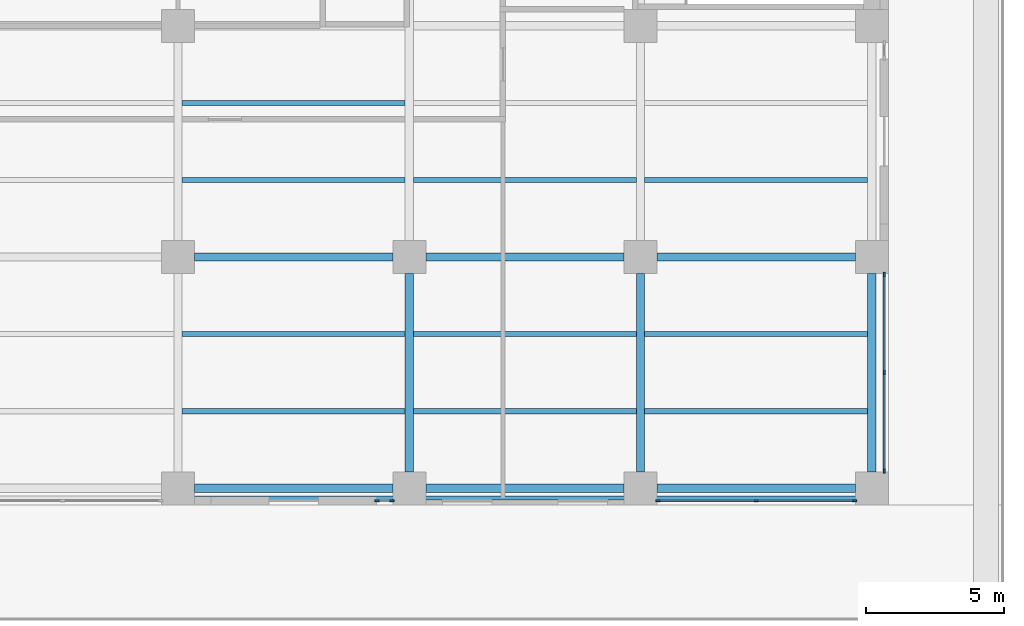
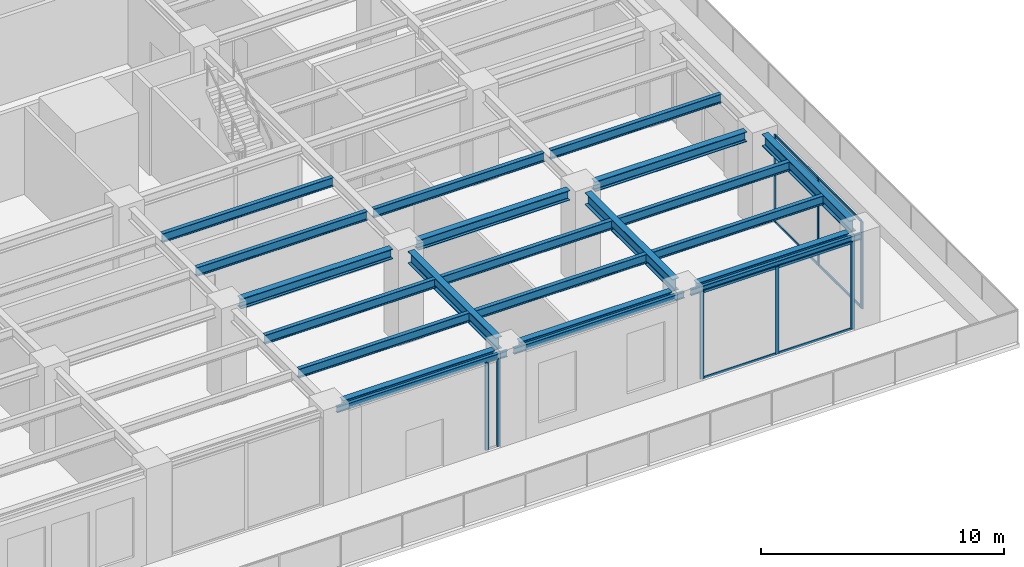
# One storey, part 8 of 53: 22 beams, 16 members, 3 elements without a shape of their own.
"""IFC4 building model written with IfcOpenShell, lengths in metres."""

from ifc_helpers import new_model, si_unit, direction, frame, origin, origin_2d, place, context, subcontext, project, spatial, rectangle, i_section, extrude, material, material_profile, profile_set, type_object, element, aggregate, save


model = new_model("IFC4")

# Units and contexts
model_context = context("Model", 3, precision=1e-05, world=origin(), true_north=direction((0.0, 1.0)))
body_context = subcontext(model_context, "Body", "Model", "MODEL_VIEW")
ifc_project = project(units=[si_unit("LENGTHUNIT", "METRE"), si_unit("AREAUNIT", "SQUARE_METRE"), si_unit("VOLUMEUNIT", "CUBIC_METRE"), si_unit("PLANEANGLEUNIT", "RADIAN"), si_unit("MASSUNIT", "GRAM", prefix="KILO")], contexts=[model_context])

# Site, building, storey
site_placement = place(None, origin())
site = spatial("IfcSite", under=ifc_project, at=site_placement, CompositionType="ELEMENT")
building_placement = place(site_placement, origin())
building = spatial("IfcBuilding", under=site, at=building_placement, Name="Khepri Terraces", CompositionType="ELEMENT")
storey_placement = place(building_placement, frame((0.0, 0.0, 7.199951171875)))
storey = spatial("IfcBuildingStorey", under=building, at=storey_placement, Name="L01", CompositionType="ELEMENT", Elevation=7.199951171875)

# Curtain wall, members
ifc_material_1 = material(Name="Anodised aluminium bronze curtain wall", Category="aluminium")
curtain_wall_type = type_object("IfcCurtainWallType", Name="CW-SYS2-PODIUM", PredefinedType="NOTDEFINED", material=ifc_material_1)
curtain_wall_1_placement = place(storey_placement, origin())
curtain_wall_1 = element("IfcCurtainWall", 1, at=curtain_wall_1_placement, inside=storey, type_object=curtain_wall_type, Name="Curtain wall CW2 L01 S", PredefinedType="NOTDEFINED")
ifc_material_2 = material(Name="Anodised aluminium bronze", Category="aluminium")
ifc_material_profile_1 = material_profile(ifc_material_2, rectangle(XDim=0.06005859375, YDim=0.159912109375, at=origin_2d()), Name="Anodised aluminium bronze", Category="aluminium")
ifc_profile_set_1 = profile_set([ifc_material_profile_1], Name="Anodised aluminium bronze")
member_type_1 = type_object("IfcMemberType", Name="CW-MULLION-60x160", PredefinedType="MULLION", material=ifc_profile_set_1)
member_1_placement = place(storey_placement, frame((24.030029296875, -42.449951171875, 0.0), z_axis=(0.0, 0.0, 1.0), x_axis=(0.0, 1.0, 0.0)))
member_1 = element("IfcMember", 2, at=member_1_placement, type_object=member_type_1, Name="CW2 mullion 1", PredefinedType="MULLION", context=body_context, shape_type="SweptSolid", body=[
    extrude(rectangle(XDim=0.06005859375, YDim=0.159912109375, at=origin_2d()), origin(), (0.0, 0.0, 1.0), 4.380126953125),
])
member_2_placement = place(storey_placement, frame((24.570068359375, -42.449951171875, 0.0), z_axis=(0.0, 0.0, 1.0), x_axis=(0.0, 1.0, 0.0)))
member_2 = element("IfcMember", 3, at=member_2_placement, type_object=member_type_1, Name="CW2 mullion 2", PredefinedType="MULLION", context=body_context, shape_type="SweptSolid", body=[
    extrude(rectangle(XDim=0.06005859375, YDim=0.159912109375, at=origin_2d()), origin(), (0.0, 0.0, 1.0), 4.380126953125),
])
aggregate(curtain_wall_1, [member_1, member_2])

curtain_wall_2_placement = place(storey_placement, origin())
curtain_wall_2 = element("IfcCurtainWall", 4, at=curtain_wall_2_placement, inside=storey, type_object=curtain_wall_type, Name="Curtain wall CW2 L01 S", PredefinedType="NOTDEFINED")
member_3_placement = place(storey_placement, frame((34.22998046875, -42.449951171875, 0.0), z_axis=(0.0, 0.0, 1.0), x_axis=(0.0, 1.0, 0.0)))
member_3 = element("IfcMember", 5, at=member_3_placement, type_object=member_type_1, Name="CW2 mullion 1", PredefinedType="MULLION", context=body_context, shape_type="SweptSolid", body=[
    extrude(rectangle(XDim=0.06005859375, YDim=0.159912109375, at=origin_2d()), origin(), (0.0, 0.0, 1.0), 4.380126953125),
])
member_4_placement = place(storey_placement, frame((37.800048828125, -42.449951171875, 0.0), z_axis=(0.0, 0.0, 1.0), x_axis=(0.0, 1.0, 0.0)))
member_4 = element("IfcMember", 6, at=member_4_placement, type_object=member_type_1, Name="CW2 mullion 2", PredefinedType="MULLION", context=body_context, shape_type="SweptSolid", body=[
    extrude(rectangle(XDim=0.06005859375, YDim=0.159912109375, at=origin_2d()), origin(), (0.0, 0.0, 1.0), 4.380126953125),
])
member_5_placement = place(storey_placement, frame((41.3701171875, -42.449951171875, 0.0), z_axis=(0.0, 0.0, 1.0), x_axis=(0.0, 1.0, 0.0)))
member_5 = element("IfcMember", 7, at=member_5_placement, type_object=member_type_1, Name="CW2 mullion 3", PredefinedType="MULLION", context=body_context, shape_type="SweptSolid", body=[
    extrude(rectangle(XDim=0.06005859375, YDim=0.159912109375, at=origin_2d()), origin(), (0.0, 0.0, 1.0), 4.380126953125),
])

curtain_wall_3_placement = place(storey_placement, origin())
curtain_wall_3 = element("IfcCurtainWall", 8, at=curtain_wall_3_placement, inside=storey, type_object=curtain_wall_type, Name="Curtain wall CW2 L01 E", PredefinedType="NOTDEFINED")
member_6_placement = place(storey_placement, frame((42.449951171875, -41.3701171875, 0.0), z_axis=(0.0, 0.0, 1.0), x_axis=(-1.0, 0.0, 0.0)))
member_6 = element("IfcMember", 9, at=member_6_placement, type_object=member_type_1, Name="CW2 mullion 1", PredefinedType="MULLION", context=body_context, shape_type="SweptSolid", body=[
    extrude(rectangle(XDim=0.06005859375, YDim=0.159912109375, at=origin_2d()), origin(), (0.0, 0.0, 1.0), 4.380126953125),
])
member_7_placement = place(storey_placement, frame((42.449951171875, -37.800048828125, 0.0), z_axis=(0.0, 0.0, 1.0), x_axis=(-1.0, 0.0, 0.0)))
member_7 = element("IfcMember", 10, at=member_7_placement, type_object=member_type_1, Name="CW2 mullion 2", PredefinedType="MULLION", context=body_context, shape_type="SweptSolid", body=[
    extrude(rectangle(XDim=0.06005859375, YDim=0.159912109375, at=origin_2d()), origin(), (0.0, 0.0, 1.0), 4.380126953125),
])
member_8_placement = place(storey_placement, frame((42.449951171875, -34.22998046875, 0.0), z_axis=(0.0, 0.0, 1.0), x_axis=(-1.0, 0.0, 0.0)))
member_8 = element("IfcMember", 11, at=member_8_placement, type_object=member_type_1, Name="CW2 mullion 3", PredefinedType="MULLION", context=body_context, shape_type="SweptSolid", body=[
    extrude(rectangle(XDim=0.06005859375, YDim=0.159912109375, at=origin_2d()), origin(), (0.0, 0.0, 1.0), 4.380126953125),
])

# Member
ifc_material_profile_2 = material_profile(ifc_material_2, rectangle(XDim=0.06005859375, YDim=0.1201171875, at=origin_2d()), Name="Anodised aluminium bronze", Category="aluminium")
ifc_profile_set_2 = profile_set([ifc_material_profile_2], Name="Anodised aluminium bronze")
member_type_2 = type_object("IfcMemberType", Name="CW-TRANSOM-60x120", PredefinedType="USERDEFINED", material=ifc_profile_set_2)
member_9_placement = place(storey_placement, frame((34.260009765625, -42.449951171875, 0.030029296875), z_axis=(1.0, 0.0, 0.0), x_axis=(0.0, 1.0, 0.0)))
member_9 = element("IfcMember", 12, at=member_9_placement, type_object=member_type_2, Name="CW2 transom 1.1", ObjectType="TRANSOM", PredefinedType="USERDEFINED", context=body_context, shape_type="SweptSolid", body=[
    extrude(rectangle(XDim=0.06005859375, YDim=0.1201171875, at=origin_2d()), origin(), (0.0, 0.0, 1.0), 3.510009765625),
])

member_10_placement = place(storey_placement, frame((34.260009765625, -42.449951171875, 4.35009765625), z_axis=(1.0, 0.0, 0.0), x_axis=(0.0, 1.0, 0.0)))
member_10 = element("IfcMember", 13, at=member_10_placement, type_object=member_type_2, Name="CW2 transom 1.2", ObjectType="TRANSOM", PredefinedType="USERDEFINED", context=body_context, shape_type="SweptSolid", body=[
    extrude(rectangle(XDim=0.06005859375, YDim=0.1201171875, at=origin_2d()), origin(), (0.0, 0.0, 1.0), 3.510009765625),
])

member_11_placement = place(storey_placement, frame((37.830078125, -42.449951171875, 0.030029296875), z_axis=(1.0, 0.0, 0.0), x_axis=(0.0, 1.0, 0.0)))
member_11 = element("IfcMember", 14, at=member_11_placement, type_object=member_type_2, Name="CW2 transom 2.1", ObjectType="TRANSOM", PredefinedType="USERDEFINED", context=body_context, shape_type="SweptSolid", body=[
    extrude(rectangle(XDim=0.06005859375, YDim=0.1201171875, at=origin_2d()), origin(), (0.0, 0.0, 1.0), 3.510009765625),
])

member_12_placement = place(storey_placement, frame((37.830078125, -42.449951171875, 4.35009765625), z_axis=(1.0, 0.0, 0.0), x_axis=(0.0, 1.0, 0.0)))
member_12 = element("IfcMember", 15, at=member_12_placement, type_object=member_type_2, Name="CW2 transom 2.2", ObjectType="TRANSOM", PredefinedType="USERDEFINED", context=body_context, shape_type="SweptSolid", body=[
    extrude(rectangle(XDim=0.06005859375, YDim=0.1201171875, at=origin_2d()), origin(), (0.0, 0.0, 1.0), 3.510009765625),
])

aggregate(curtain_wall_2, [member_3, member_4, member_5, member_9, member_10, member_11, member_12])

member_13_placement = place(storey_placement, frame((42.449951171875, -41.340087890625, 0.030029296875), z_axis=(0.0, 1.0, 0.0), x_axis=(-1.0, 0.0, 0.0)))
member_13 = element("IfcMember", 16, at=member_13_placement, type_object=member_type_2, Name="CW2 transom 1.1", ObjectType="TRANSOM", PredefinedType="USERDEFINED", context=body_context, shape_type="SweptSolid", body=[
    extrude(rectangle(XDim=0.06005859375, YDim=0.1201171875, at=origin_2d()), origin(), (0.0, 0.0, 1.0), 3.510009765625),
])

member_14_placement = place(storey_placement, frame((42.449951171875, -41.340087890625, 4.35009765625), z_axis=(0.0, 1.0, 0.0), x_axis=(-1.0, 0.0, 0.0)))
member_14 = element("IfcMember", 17, at=member_14_placement, type_object=member_type_2, Name="CW2 transom 1.2", ObjectType="TRANSOM", PredefinedType="USERDEFINED", context=body_context, shape_type="SweptSolid", body=[
    extrude(rectangle(XDim=0.06005859375, YDim=0.1201171875, at=origin_2d()), origin(), (0.0, 0.0, 1.0), 3.510009765625),
])

member_15_placement = place(storey_placement, frame((42.449951171875, -37.77001953125, 0.030029296875), z_axis=(0.0, 1.0, 0.0), x_axis=(-1.0, 0.0, 0.0)))
member_15 = element("IfcMember", 18, at=member_15_placement, type_object=member_type_2, Name="CW2 transom 2.1", ObjectType="TRANSOM", PredefinedType="USERDEFINED", context=body_context, shape_type="SweptSolid", body=[
    extrude(rectangle(XDim=0.06005859375, YDim=0.1201171875, at=origin_2d()), origin(), (0.0, 0.0, 1.0), 3.510009765625),
])

member_16_placement = place(storey_placement, frame((42.449951171875, -37.77001953125, 4.35009765625), z_axis=(0.0, 1.0, 0.0), x_axis=(-1.0, 0.0, 0.0)))
member_16 = element("IfcMember", 19, at=member_16_placement, type_object=member_type_2, Name="CW2 transom 2.2", ObjectType="TRANSOM", PredefinedType="USERDEFINED", context=body_context, shape_type="SweptSolid", body=[
    extrude(rectangle(XDim=0.06005859375, YDim=0.1201171875, at=origin_2d()), origin(), (0.0, 0.0, 1.0), 3.510009765625),
])

aggregate(curtain_wall_3, [member_6, member_7, member_8, member_13, member_14, member_15, member_16])

# Beams
ifc_material_3 = material(Name="Steel S355", Category="steel")
ifc_material_profile_3 = material_profile(ifc_material_3, i_section(OverallWidth=0.14990234375, OverallDepth=0.300048828125, WebThickness=0.007080078125, FlangeThickness=0.0107421875, FilletRadius=0.014892578125, at=origin_2d()), Name="Steel S355", Category="steel")
ifc_profile_set_3 = profile_set([ifc_material_profile_3], Name="Steel S355")
beam_type_1 = type_object("IfcBeamType", Name="Podium edge beam L02 IPE 300", PredefinedType="SPANDREL", material=ifc_profile_set_3)
beam_1_placement = place(storey_placement, frame((16.949951171875, -42.35009765625, 4.449951171875), z_axis=(1.0, 0.0, 0.0), x_axis=(0.0, 1.0, 0.0)))
element("IfcBeam", 20, at=beam_1_placement, inside=storey, type_object=beam_type_1, Name="Podium edge beam L02 008", PredefinedType="SPANDREL", context=body_context, shape_type="SweptSolid", body=[
    extrude(i_section(OverallWidth=0.14990234375, OverallDepth=0.300048828125, WebThickness=0.007080078125, FlangeThickness=0.0107421875, FilletRadius=0.014892578125, at=origin_2d()), origin(), (0.0, 0.0, 1.0), 8.10009765625),
])
beam_2_placement = place(storey_placement, frame((25.35009765625, -42.35009765625, 4.449951171875), z_axis=(1.0, 0.0, 0.0), x_axis=(0.0, 1.0, 0.0)))
element("IfcBeam", 21, at=beam_2_placement, inside=storey, type_object=beam_type_1, Name="Podium edge beam L02 009", PredefinedType="SPANDREL", context=body_context, shape_type="SweptSolid", body=[
    extrude(i_section(OverallWidth=0.14990234375, OverallDepth=0.300048828125, WebThickness=0.007080078125, FlangeThickness=0.0107421875, FilletRadius=0.014892578125, at=origin_2d()), origin(), (0.0, 0.0, 1.0), 8.099853515625),
])
beam_3_placement = place(storey_placement, frame((33.75, -42.35009765625, 4.449951171875), z_axis=(1.0, 0.0, 0.0), x_axis=(0.0, 1.0, 0.0)))
element("IfcBeam", 22, at=beam_3_placement, inside=storey, type_object=beam_type_1, Name="Podium edge beam L02 010", PredefinedType="SPANDREL", context=body_context, shape_type="SweptSolid", body=[
    extrude(i_section(OverallWidth=0.14990234375, OverallDepth=0.300048828125, WebThickness=0.007080078125, FlangeThickness=0.0107421875, FilletRadius=0.014892578125, at=origin_2d()), origin(), (0.0, 0.0, 1.0), 8.10009765625),
])
ifc_material_profile_4 = material_profile(ifc_material_3, i_section(OverallWidth=0.300048828125, OverallDepth=0.60009765625, WebThickness=0.015380859375, FlangeThickness=0.030029296875, FilletRadius=0.027099609375, at=origin_2d()), Name="Steel S355", Category="steel")
ifc_profile_set_4 = profile_set([ifc_material_profile_4], Name="Steel S355")
beam_type_2 = type_object("IfcBeamType", Name="Podium girder L02 HEB 600", PredefinedType="BEAM", material=ifc_profile_set_4)
for number, where, z_axis, x_axis, name in (
    (23, (25.199951171875, -41.39990234375, 4.300048828125), (0.0, 1.0, 0.0), (-1.0, 0.0, 0.0), "Podium girder L02 049"),
    (24, (33.60009765625, -41.39990234375, 4.300048828125), (0.0, 1.0, 0.0), (-1.0, 0.0, 0.0), "Podium girder L02 057"),
    (25, (42.0, -41.39990234375, 4.300048828125), (0.0, 1.0, 0.0), (-1.0, 0.0, 0.0), "Podium girder L02 067"),
):
    element("IfcBeam", number, at=place(storey_placement, frame(where, z_axis=z_axis, x_axis=x_axis)), inside=storey, type_object=beam_type_2, Name=name, PredefinedType="BEAM", context=body_context, shape_type="SweptSolid", body=[
        extrude(i_section(OverallWidth=0.300048828125, OverallDepth=0.60009765625, WebThickness=0.015380859375, FlangeThickness=0.030029296875, FilletRadius=0.027099609375, at=origin_2d()), origin(), (0.0, 0.0, 1.0), 7.199951171875),
    ])
ifc_material_profile_5 = material_profile(ifc_material_3, i_section(OverallWidth=0.300048828125, OverallDepth=0.5, WebThickness=0.014404296875, FlangeThickness=0.028076171875, FilletRadius=0.027099609375, at=origin_2d()), Name="Steel S355", Category="steel")
ifc_profile_set_5 = profile_set([ifc_material_profile_5], Name="Steel S355")
beam_type_3 = type_object("IfcBeamType", Name="Podium girder L02 grid line HEB 500", PredefinedType="BEAM", material=ifc_profile_set_5)
beam_4_placement = place(storey_placement, frame((17.39990234375, -42.0, 4.35009765625), z_axis=(1.0, 0.0, 0.0), x_axis=(0.0, 1.0, 0.0)))
element("IfcBeam", 26, at=beam_4_placement, inside=storey, type_object=beam_type_3, Name="Podium grid-line girder L02 008", PredefinedType="BEAM", context=body_context, shape_type="SweptSolid", body=[
    extrude(i_section(OverallWidth=0.300048828125, OverallDepth=0.5, WebThickness=0.014404296875, FlangeThickness=0.028076171875, FilletRadius=0.027099609375, at=origin_2d()), origin(), (0.0, 0.0, 1.0), 7.2001953125),
])
for number, where, z_axis, x_axis, name in (
    (27, (25.800048828125, -42.0, 4.35009765625), (1.0, 0.0, 0.0), (0.0, 1.0, 0.0), "Podium grid-line girder L02 009"),
    (28, (34.199951171875, -42.0, 4.35009765625), (1.0, 0.0, 0.0), (0.0, 1.0, 0.0), "Podium grid-line girder L02 010"),
):
    element("IfcBeam", number, at=place(storey_placement, frame(where, z_axis=z_axis, x_axis=x_axis)), inside=storey, type_object=beam_type_3, Name=name, PredefinedType="BEAM", context=body_context, shape_type="SweptSolid", body=[
        extrude(i_section(OverallWidth=0.300048828125, OverallDepth=0.5, WebThickness=0.014404296875, FlangeThickness=0.028076171875, FilletRadius=0.027099609375, at=origin_2d()), origin(), (0.0, 0.0, 1.0), 7.199951171875),
    ])
beam_5_placement = place(storey_placement, frame((17.39990234375, -33.60009765625, 4.35009765625), z_axis=(1.0, 0.0, 0.0), x_axis=(0.0, 1.0, 0.0)))
element("IfcBeam", 29, at=beam_5_placement, inside=storey, type_object=beam_type_3, Name="Podium grid-line girder L02 038", PredefinedType="BEAM", context=body_context, shape_type="SweptSolid", body=[
    extrude(i_section(OverallWidth=0.300048828125, OverallDepth=0.5, WebThickness=0.014404296875, FlangeThickness=0.028076171875, FilletRadius=0.027099609375, at=origin_2d()), origin(), (0.0, 0.0, 1.0), 7.2001953125),
])
for number, where, z_axis, x_axis, name in (
    (30, (25.800048828125, -33.60009765625, 4.35009765625), (1.0, 0.0, 0.0), (0.0, 1.0, 0.0), "Podium grid-line girder L02 039"),
    (31, (34.199951171875, -33.60009765625, 4.35009765625), (1.0, 0.0, 0.0), (0.0, 1.0, 0.0), "Podium grid-line girder L02 040"),
):
    element("IfcBeam", number, at=place(storey_placement, frame(where, z_axis=z_axis, x_axis=x_axis)), inside=storey, type_object=beam_type_3, Name=name, PredefinedType="BEAM", context=body_context, shape_type="SweptSolid", body=[
        extrude(i_section(OverallWidth=0.300048828125, OverallDepth=0.5, WebThickness=0.014404296875, FlangeThickness=0.028076171875, FilletRadius=0.027099609375, at=origin_2d()), origin(), (0.0, 0.0, 1.0), 7.199951171875),
    ])
ifc_material_profile_6 = material_profile(ifc_material_3, i_section(OverallWidth=0.18994140625, OverallDepth=0.449951171875, WebThickness=0.009521484375, FlangeThickness=0.0146484375, FilletRadius=0.02099609375, at=origin_2d()), Name="Steel S355", Category="steel")
ifc_profile_set_6 = profile_set([ifc_material_profile_6], Name="Steel S355")
beam_type_4 = type_object("IfcBeamType", Name="Podium joist L02 IPE 450", PredefinedType="JOIST", material=ifc_profile_set_6)
beam_6_placement = place(storey_placement, frame((16.949951171875, -39.199951171875, 4.375), z_axis=(1.0, 0.0, 0.0), x_axis=(0.0, 1.0, 0.0)))
element("IfcBeam", 32, at=beam_6_placement, inside=storey, type_object=beam_type_4, Name="Podium joist L02 018", PredefinedType="JOIST", context=body_context, shape_type="SweptSolid", body=[
    extrude(i_section(OverallWidth=0.18994140625, OverallDepth=0.449951171875, WebThickness=0.009521484375, FlangeThickness=0.0146484375, FilletRadius=0.02099609375, at=origin_2d()), origin(), (0.0, 0.0, 1.0), 8.10009765625),
])
beam_7_placement = place(storey_placement, frame((25.35009765625, -39.199951171875, 4.375), z_axis=(1.0, 0.0, 0.0), x_axis=(0.0, 1.0, 0.0)))
element("IfcBeam", 33, at=beam_7_placement, inside=storey, type_object=beam_type_4, Name="Podium joist L02 019", PredefinedType="JOIST", context=body_context, shape_type="SweptSolid", body=[
    extrude(i_section(OverallWidth=0.18994140625, OverallDepth=0.449951171875, WebThickness=0.009521484375, FlangeThickness=0.0146484375, FilletRadius=0.02099609375, at=origin_2d()), origin(), (0.0, 0.0, 1.0), 8.099853515625),
])
for number, where, z_axis, x_axis, name in (
    (34, (33.75, -39.199951171875, 4.375), (1.0, 0.0, 0.0), (0.0, 1.0, 0.0), "Podium joist L02 020"),
    (35, (16.949951171875, -36.39990234375, 4.375), (1.0, 0.0, 0.0), (0.0, 1.0, 0.0), "Podium joist L02 028"),
):
    element("IfcBeam", number, at=place(storey_placement, frame(where, z_axis=z_axis, x_axis=x_axis)), inside=storey, type_object=beam_type_4, Name=name, PredefinedType="JOIST", context=body_context, shape_type="SweptSolid", body=[
        extrude(i_section(OverallWidth=0.18994140625, OverallDepth=0.449951171875, WebThickness=0.009521484375, FlangeThickness=0.0146484375, FilletRadius=0.02099609375, at=origin_2d()), origin(), (0.0, 0.0, 1.0), 8.10009765625),
    ])
beam_8_placement = place(storey_placement, frame((25.35009765625, -36.39990234375, 4.375), z_axis=(1.0, 0.0, 0.0), x_axis=(0.0, 1.0, 0.0)))
element("IfcBeam", 36, at=beam_8_placement, inside=storey, type_object=beam_type_4, Name="Podium joist L02 029", PredefinedType="JOIST", context=body_context, shape_type="SweptSolid", body=[
    extrude(i_section(OverallWidth=0.18994140625, OverallDepth=0.449951171875, WebThickness=0.009521484375, FlangeThickness=0.0146484375, FilletRadius=0.02099609375, at=origin_2d()), origin(), (0.0, 0.0, 1.0), 8.099853515625),
])
for number, where, z_axis, x_axis, name in (
    (37, (33.75, -36.39990234375, 4.375), (1.0, 0.0, 0.0), (0.0, 1.0, 0.0), "Podium joist L02 030"),
    (38, (16.949951171875, -30.800048828125, 4.375), (1.0, 0.0, 0.0), (0.0, 1.0, 0.0), "Podium joist L02 048"),
):
    element("IfcBeam", number, at=place(storey_placement, frame(where, z_axis=z_axis, x_axis=x_axis)), inside=storey, type_object=beam_type_4, Name=name, PredefinedType="JOIST", context=body_context, shape_type="SweptSolid", body=[
        extrude(i_section(OverallWidth=0.18994140625, OverallDepth=0.449951171875, WebThickness=0.009521484375, FlangeThickness=0.0146484375, FilletRadius=0.02099609375, at=origin_2d()), origin(), (0.0, 0.0, 1.0), 8.10009765625),
    ])
beam_9_placement = place(storey_placement, frame((25.35009765625, -30.800048828125, 4.375), z_axis=(1.0, 0.0, 0.0), x_axis=(0.0, 1.0, 0.0)))
element("IfcBeam", 39, at=beam_9_placement, inside=storey, type_object=beam_type_4, Name="Podium joist L02 049", PredefinedType="JOIST", context=body_context, shape_type="SweptSolid", body=[
    extrude(i_section(OverallWidth=0.18994140625, OverallDepth=0.449951171875, WebThickness=0.009521484375, FlangeThickness=0.0146484375, FilletRadius=0.02099609375, at=origin_2d()), origin(), (0.0, 0.0, 1.0), 8.099853515625),
])
for number, where, z_axis, x_axis, name in (
    (40, (33.75, -30.800048828125, 4.375), (1.0, 0.0, 0.0), (0.0, 1.0, 0.0), "Podium joist L02 050"),
    (41, (16.949951171875, -28.0, 4.375), (1.0, 0.0, 0.0), (0.0, 1.0, 0.0), "Podium joist L02 058"),
):
    element("IfcBeam", number, at=place(storey_placement, frame(where, z_axis=z_axis, x_axis=x_axis)), inside=storey, type_object=beam_type_4, Name=name, PredefinedType="JOIST", context=body_context, shape_type="SweptSolid", body=[
        extrude(i_section(OverallWidth=0.18994140625, OverallDepth=0.449951171875, WebThickness=0.009521484375, FlangeThickness=0.0146484375, FilletRadius=0.02099609375, at=origin_2d()), origin(), (0.0, 0.0, 1.0), 8.10009765625),
    ])

save(model, "model.ifc")
